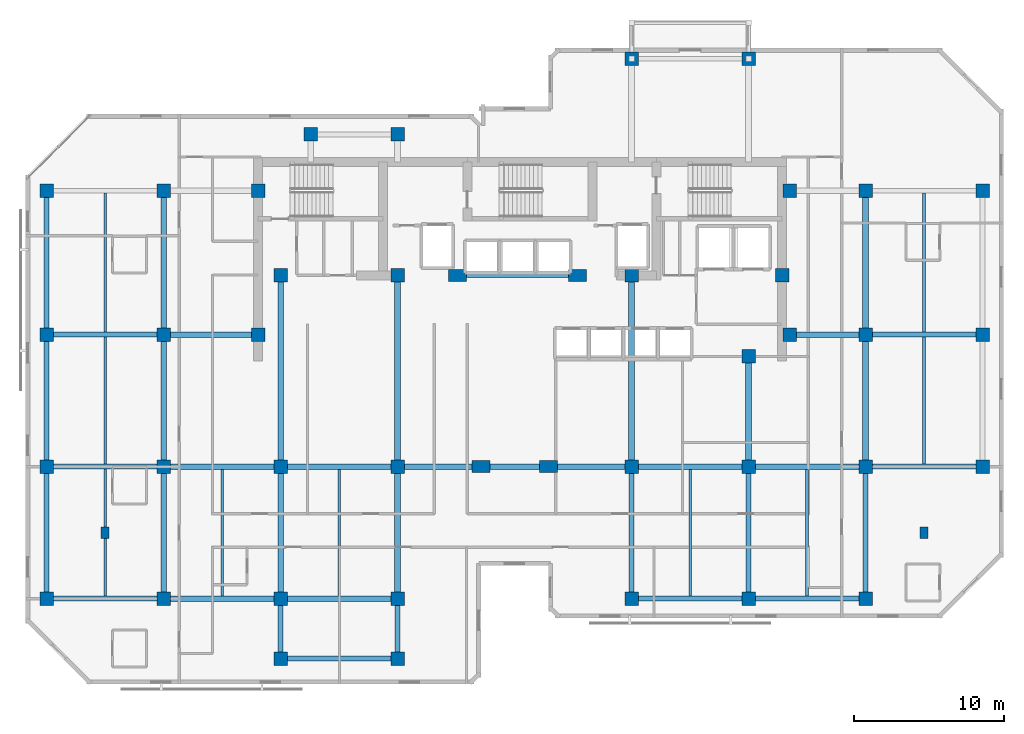
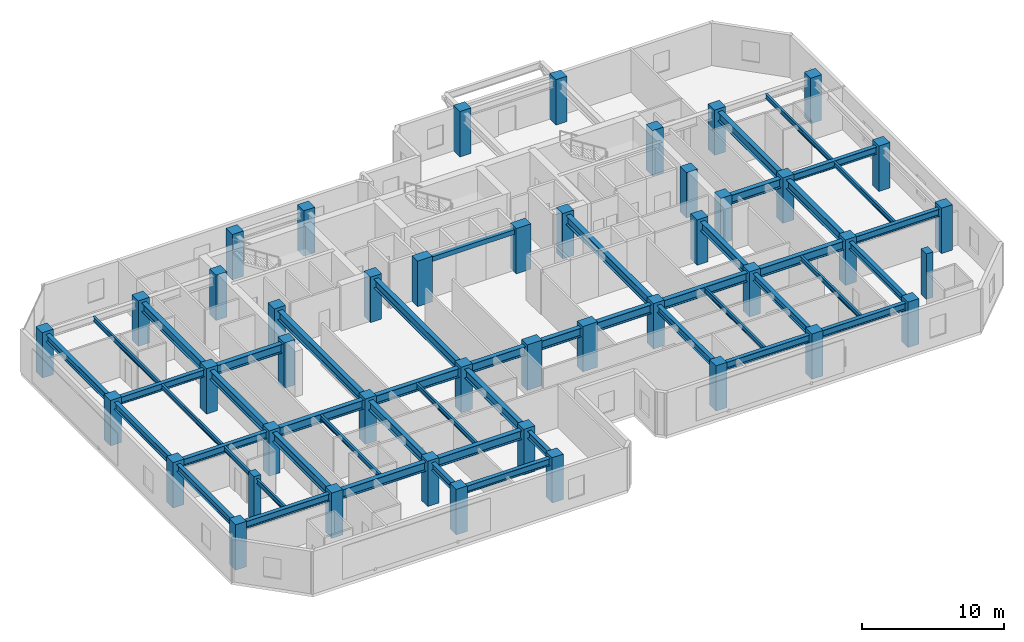
# One storey, part 1 of 10: 48 beams, 44 columns.
"""IFC4 building model written with IfcOpenShell, lengths in metres."""

from ifc_helpers import new_model, si_unit, direction, frame, origin, origin_2d, place, context, subcontext, project, spatial, rectangle, i_section, extrude, material, material_profile, profile_set, type_object, element, save


model = new_model("IFC4")

# Units and contexts
model_context = context("Model", 3, precision=1e-05, world=origin(), true_north=direction((0.0, 1.0)))
body_context = subcontext(model_context, "Body", "Model", "MODEL_VIEW")
ifc_project = project(units=[si_unit("LENGTHUNIT", "METRE"), si_unit("AREAUNIT", "SQUARE_METRE"), si_unit("VOLUMEUNIT", "CUBIC_METRE"), si_unit("PLANEANGLEUNIT", "RADIAN"), si_unit("MASSUNIT", "GRAM", prefix="KILO")], contexts=[model_context])

# Site, building, storey
site_placement = place(None, origin())
site = spatial("IfcSite", under=ifc_project, at=site_placement, CompositionType="ELEMENT")
building_placement = place(site_placement, origin())
building = spatial("IfcBuilding", under=site, at=building_placement, Name="Kestravale Grand Hotel", CompositionType="ELEMENT")
storey_placement = place(building_placement, frame((0.0, 0.0, 220.199951171875)))
storey = spatial("IfcBuildingStorey", under=building, at=storey_placement, Name="L55", CompositionType="ELEMENT", Elevation=220.199951171875)

# Columns
ifc_material_1 = material(Name="Concrete f'c 60 MPa", Category="concrete")
ifc_material_profile_1 = material_profile(ifc_material_1, rectangle(XDim=1.199951171875, YDim=0.800048828125, at=origin_2d()))
ifc_profile_set_1 = profile_set([ifc_material_profile_1], Name="Concrete f'c 60 MPa")
column_type_1 = type_object("IfcColumnType", Name="C-Z3-1200X800", PredefinedType="COLUMN", material=ifc_profile_set_1)
for number, where, z_axis, x_axis, name in (
    (1, (36.75, 20.0, 0.0), (0.0, 0.0, 1.0), (1.0, 0.0, 0.0), "L55 column 6-D"),
    (2, (41.25, 20.0, 0.0), (0.0, 0.0, 1.0), (1.0, 0.0, 0.0), "L55 column 7-D"),
    (3, (35.199951171875, 32.75, 0.0), (0.0, 0.0, 1.0), (1.0, 0.0, 0.0), "L55 column 6C-CS"),
    (4, (43.199951171875, 32.75, 0.0), (0.0, 0.0, 1.0), (1.0, 0.0, 0.0), "L55 column 7C-CS"),
):
    element("IfcColumn", number, at=place(storey_placement, frame(where, z_axis=z_axis, x_axis=x_axis)), inside=storey, type_object=column_type_1, Name=name, PredefinedType="COLUMN", context=body_context, shape_type="SweptSolid", body=[
        extrude(rectangle(XDim=1.199951171875, YDim=0.800048828125, at=origin_2d()), origin(), (0.0, 0.0, 1.0), 3.900146484375),
    ])
ifc_material_2 = material(Name="Precast concrete f'c 45 MPa", Category="concrete")
ifc_material_profile_2 = material_profile(ifc_material_2, rectangle(XDim=0.550048828125, YDim=0.75, at=origin_2d()))
ifc_profile_set_2 = profile_set([ifc_material_profile_2], Name="Precast concrete f'c 45 MPa")
column_type_2 = type_object("IfcColumnType", Name="C-Z3-PIL750", PredefinedType="PILASTER", material=ifc_profile_set_2)
for number, where, z_axis, x_axis, name in (
    (5, (11.699951171875, 15.60009765625, 0.0), (0.0, 0.0, 1.0), (1.0, 0.0, 0.0), "L55 Art Deco fluted pilaster P1"),
    (6, (66.300048828125, 15.60009765625, 0.0), (0.0, 0.0, 1.0), (1.0, 0.0, 0.0), "L55 Art Deco fluted pilaster P2"),
):
    element("IfcColumn", number, at=place(storey_placement, frame(where, z_axis=z_axis, x_axis=x_axis)), inside=storey, type_object=column_type_2, Name=name, PredefinedType="PILASTER", context=body_context, shape_type="SweptSolid", body=[
        extrude(rectangle(XDim=0.550048828125, YDim=0.75, at=origin_2d()), origin(), (0.0, 0.0, 1.0), 3.900146484375),
    ])
ifc_material_3 = material(Name="Concrete f'c 50 MPa", Category="concrete")
ifc_material_profile_3 = material_profile(ifc_material_3, rectangle(XDim=0.89990234375, YDim=0.89990234375, at=origin_2d()))
ifc_profile_set_3 = profile_set([ifc_material_profile_3], Name="Concrete f'c 50 MPa")
column_type_3 = type_object("IfcColumnType", Name="C-Z4-900", PredefinedType="COLUMN", material=ifc_profile_set_3)
for number, where, z_axis, x_axis, name in (
    (7, (7.800048828125, 11.199951171875, 0.0), (0.0, 0.0, 1.0), (1.0, 0.0, 0.0), "L55 column 2-C"),
    (8, (7.800048828125, 20.0, 0.0), (0.0, 0.0, 1.0), (1.0, 0.0, 0.0), "L55 column 2-D"),
    (9, (7.800048828125, 28.800048828125, 0.0), (0.0, 0.0, 1.0), (1.0, 0.0, 0.0), "L55 column 2-E"),
    (10, (7.800048828125, 38.39990234375, 0.0), (0.0, 0.0, 1.0), (1.0, 0.0, 0.0), "L55 column 2-F"),
    (11, (15.60009765625, 11.199951171875, 0.0), (0.0, 0.0, 1.0), (1.0, 0.0, 0.0), "L55 column 3-C"),
    (12, (15.60009765625, 20.0, 0.0), (0.0, 0.0, 1.0), (1.0, 0.0, 0.0), "L55 column 3-D"),
    (13, (15.60009765625, 28.800048828125, 0.0), (0.0, 0.0, 1.0), (1.0, 0.0, 0.0), "L55 column 3-E"),
    (14, (15.60009765625, 38.39990234375, 0.0), (0.0, 0.0, 1.0), (1.0, 0.0, 0.0), "L55 column 3-F"),
    (15, (23.39990234375, 11.199951171875, 0.0), (0.0, 0.0, 1.0), (1.0, 0.0, 0.0), "L55 column 4-C"),
    (16, (23.39990234375, 20.0, 0.0), (0.0, 0.0, 1.0), (1.0, 0.0, 0.0), "L55 column 4-D"),
    (17, (31.199951171875, 11.199951171875, 0.0), (0.0, 0.0, 1.0), (1.0, 0.0, 0.0), "L55 column 5-C"),
    (18, (31.199951171875, 20.0, 0.0), (0.0, 0.0, 1.0), (1.0, 0.0, 0.0), "L55 column 5-D"),
    (19, (46.800048828125, 11.199951171875, 0.0), (0.0, 0.0, 1.0), (1.0, 0.0, 0.0), "L55 column 8-C"),
    (20, (46.800048828125, 20.0, 0.0), (0.0, 0.0, 1.0), (1.0, 0.0, 0.0), "L55 column 8-D"),
    (21, (46.800048828125, 47.199951171875, 0.0), (0.0, 0.0, 1.0), (1.0, 0.0, 0.0), "L55 column 8-G"),
    (22, (54.60009765625, 11.199951171875, 0.0), (0.0, 0.0, 1.0), (1.0, 0.0, 0.0), "L55 column 9-C"),
    (23, (54.60009765625, 20.0, 0.0), (0.0, 0.0, 1.0), (1.0, 0.0, 0.0), "L55 column 9-D"),
    (24, (54.60009765625, 47.199951171875, 0.0), (0.0, 0.0, 1.0), (1.0, 0.0, 0.0), "L55 column 9-G"),
    (25, (62.39990234375, 11.199951171875, 0.0), (0.0, 0.0, 1.0), (1.0, 0.0, 0.0), "L55 column 10-C"),
    (26, (62.39990234375, 20.0, 0.0), (0.0, 0.0, 1.0), (1.0, 0.0, 0.0), "L55 column 10-D"),
    (27, (62.39990234375, 28.800048828125, 0.0), (0.0, 0.0, 1.0), (1.0, 0.0, 0.0), "L55 column 10-E"),
    (28, (62.39990234375, 38.39990234375, 0.0), (0.0, 0.0, 1.0), (1.0, 0.0, 0.0), "L55 column 10-F"),
    (29, (70.199951171875, 20.0, 0.0), (0.0, 0.0, 1.0), (1.0, 0.0, 0.0), "L55 column 11-D"),
    (30, (70.199951171875, 28.800048828125, 0.0), (0.0, 0.0, 1.0), (1.0, 0.0, 0.0), "L55 column 11-E"),
    (31, (70.199951171875, 38.39990234375, 0.0), (0.0, 0.0, 1.0), (1.0, 0.0, 0.0), "L55 column 11-F"),
    (32, (21.89990234375, 28.800048828125, 0.0), (0.0, 0.0, 1.0), (1.0, 0.0, 0.0), "L55 column CW-E"),
    (33, (21.89990234375, 38.39990234375, 0.0), (0.0, 0.0, 1.0), (1.0, 0.0, 0.0), "L55 column CW-F"),
    (34, (57.35009765625, 28.800048828125, 0.0), (0.0, 0.0, 1.0), (1.0, 0.0, 0.0), "L55 column CE-E"),
    (35, (57.35009765625, 38.39990234375, 0.0), (0.0, 0.0, 1.0), (1.0, 0.0, 0.0), "L55 column CE-F"),
    (36, (23.39990234375, 32.75, 0.0), (0.0, 0.0, 1.0), (1.0, 0.0, 0.0), "L55 column 4-CS"),
    (37, (31.199951171875, 32.75, 0.0), (0.0, 0.0, 1.0), (1.0, 0.0, 0.0), "L55 column 5-CS"),
    (38, (46.800048828125, 32.75, 0.0), (0.0, 0.0, 1.0), (1.0, 0.0, 0.0), "L55 column 8-CS"),
    (39, (54.60009765625, 27.35009765625, 0.0), (0.0, 0.0, 1.0), (1.0, 0.0, 0.0), "L55 column 9-CS"),
    (40, (56.85009765625, 32.75, 0.0), (0.0, 0.0, 1.0), (1.0, 0.0, 0.0), "L55 column 9C-CS"),
    (41, (23.39990234375, 7.199951171875, 0.0), (0.0, 0.0, 1.0), (1.0, 0.0, 0.0), "L55 column 4-BS"),
    (42, (31.199951171875, 7.199951171875, 0.0), (0.0, 0.0, 1.0), (1.0, 0.0, 0.0), "L55 column 5-BS"),
    (43, (25.39990234375, 42.14990234375, 0.0), (0.0, 0.0, 1.0), (1.0, 0.0, 0.0), "L55 column 4-FN"),
    (44, (31.199951171875, 42.14990234375, 0.0), (0.0, 0.0, 1.0), (1.0, 0.0, 0.0), "L55 column 5-FN"),
):
    element("IfcColumn", number, at=place(storey_placement, frame(where, z_axis=z_axis, x_axis=x_axis)), inside=storey, type_object=column_type_3, Name=name, PredefinedType="COLUMN", context=body_context, shape_type="SweptSolid", body=[
        extrude(rectangle(XDim=0.89990234375, YDim=0.89990234375, at=origin_2d()), origin(), (0.0, 0.0, 1.0), 3.900146484375),
    ])

# Beams
ifc_material_4 = material(Name="Steel ASTM A992 Grade 50", Category="steel")
ifc_material_profile_4 = material_profile(ifc_material_4, i_section(OverallWidth=0.177978515625, OverallDepth=0.404052734375, WebThickness=0.007568359375, FlangeThickness=0.010986328125, FilletRadius=0.01416015625, at=origin_2d()))
ifc_profile_set_4 = profile_set([ifc_material_profile_4], Name="Steel ASTM A992 Grade 50")
beam_type_1 = type_object("IfcBeamType", Name="B-FLR-JST16", PredefinedType="JOIST", material=ifc_profile_set_4)
for number, where, z_axis, x_axis, name in (
    (45, (11.699951171875, 11.362548828125, 3.447998046875), (0.0, 1.0, 0.0), (-1.0, 0.0, 0.0), "L55 floor joist 2-3/C-D #1"),
    (46, (11.699951171875, 20.16259765625, 3.447998046875), (0.0, 1.0, 0.0), (-1.0, 0.0, 0.0), "L55 floor joist 2-3/D-E #1"),
):
    element("IfcBeam", number, at=place(storey_placement, frame(where, z_axis=z_axis, x_axis=x_axis)), inside=storey, type_object=beam_type_1, Name=name, PredefinedType="JOIST", context=body_context, shape_type="SweptSolid", body=[
        extrude(i_section(OverallWidth=0.177978515625, OverallDepth=0.404052734375, WebThickness=0.007568359375, FlangeThickness=0.010986328125, FilletRadius=0.01416015625, at=origin_2d()), origin(), (0.0, 0.0, 1.0), 8.474853515625),
    ])
beam_1_placement = place(storey_placement, frame((11.699951171875, 28.96240234375, 3.447998046875), z_axis=(0.0, 1.0, 0.0), x_axis=(-1.0, 0.0, 0.0)))
element("IfcBeam", 47, at=beam_1_placement, inside=storey, type_object=beam_type_1, Name="L55 floor joist 2-3/E-F #1", PredefinedType="JOIST", context=body_context, shape_type="SweptSolid", body=[
    extrude(i_section(OverallWidth=0.177978515625, OverallDepth=0.404052734375, WebThickness=0.007568359375, FlangeThickness=0.010986328125, FilletRadius=0.01416015625, at=origin_2d()), origin(), (0.0, 0.0, 1.0), 9.275146484375),
])
for number, where, z_axis, x_axis, name in (
    (48, (19.5, 11.390380859375, 3.447998046875), (0.0, 1.0, 0.0), (-1.0, 0.0, 0.0), "L55 floor joist 3-4/C-D #1"),
    (49, (27.300048828125, 11.390380859375, 3.447998046875), (0.0, 1.0, 0.0), (-1.0, 0.0, 0.0), "L55 floor joist 4-5/C-D #1"),
):
    element("IfcBeam", number, at=place(storey_placement, frame(where, z_axis=z_axis, x_axis=x_axis)), inside=storey, type_object=beam_type_1, Name=name, PredefinedType="JOIST", context=body_context, shape_type="SweptSolid", body=[
        extrude(i_section(OverallWidth=0.177978515625, OverallDepth=0.404052734375, WebThickness=0.007568359375, FlangeThickness=0.010986328125, FilletRadius=0.01416015625, at=origin_2d()), origin(), (0.0, 0.0, 1.0), 8.419189453125),
    ])
for number, where, z_axis, x_axis, name in (
    (50, (50.699951171875, 11.362548828125, 3.447998046875), (0.0, 1.0, 0.0), (-1.0, 0.0, 0.0), "L55 floor joist 8-9/C-D #1"),
    (51, (58.5, 11.362548828125, 3.447998046875), (0.0, 1.0, 0.0), (-1.0, 0.0, 0.0), "L55 floor joist 9-10/C-D #1"),
):
    element("IfcBeam", number, at=place(storey_placement, frame(where, z_axis=z_axis, x_axis=x_axis)), inside=storey, type_object=beam_type_1, Name=name, PredefinedType="JOIST", context=body_context, shape_type="SweptSolid", body=[
        extrude(i_section(OverallWidth=0.177978515625, OverallDepth=0.404052734375, WebThickness=0.007568359375, FlangeThickness=0.010986328125, FilletRadius=0.01416015625, at=origin_2d()), origin(), (0.0, 0.0, 1.0), 8.447021484375),
    ])
beam_2_placement = place(storey_placement, frame((66.300048828125, 20.16259765625, 3.447998046875), z_axis=(0.0, 1.0, 0.0), x_axis=(-1.0, 0.0, 0.0)))
element("IfcBeam", 52, at=beam_2_placement, inside=storey, type_object=beam_type_1, Name="L55 floor joist 10-11/D-E #1", PredefinedType="JOIST", context=body_context, shape_type="SweptSolid", body=[
    extrude(i_section(OverallWidth=0.177978515625, OverallDepth=0.404052734375, WebThickness=0.007568359375, FlangeThickness=0.010986328125, FilletRadius=0.01416015625, at=origin_2d()), origin(), (0.0, 0.0, 1.0), 8.474853515625),
])
beam_3_placement = place(storey_placement, frame((66.300048828125, 28.96240234375, 3.447998046875), z_axis=(0.0, 1.0, 0.0), x_axis=(-1.0, 0.0, 0.0)))
element("IfcBeam", 53, at=beam_3_placement, inside=storey, type_object=beam_type_1, Name="L55 floor joist 10-11/E-F #1", PredefinedType="JOIST", context=body_context, shape_type="SweptSolid", body=[
    extrude(i_section(OverallWidth=0.177978515625, OverallDepth=0.404052734375, WebThickness=0.007568359375, FlangeThickness=0.010986328125, FilletRadius=0.01416015625, at=origin_2d()), origin(), (0.0, 0.0, 1.0), 9.275146484375),
])
ifc_material_5 = material(Name="Concrete f'c 45 MPa", Category="concrete")
ifc_material_profile_5 = material_profile(ifc_material_5, rectangle(XDim=0.300048828125, YDim=0.39990234375, at=origin_2d()))
ifc_profile_set_5 = profile_set([ifc_material_profile_5], Name="Concrete f'c 45 MPa")
beam_type_2 = type_object("IfcBeamType", Name="B-FLR-LNT400", PredefinedType="LINTEL", material=ifc_profile_set_5)
beam_4_placement = place(storey_placement, frame((35.199951171875, 32.75, 3.449951171875), z_axis=(1.0, 0.0, 0.0), x_axis=(0.0, 1.0, 0.0)))
element("IfcBeam", 54, at=beam_4_placement, inside=storey, type_object=beam_type_2, Name="L55 core portal header lintel", PredefinedType="LINTEL", context=body_context, shape_type="SweptSolid", body=[
    extrude(rectangle(XDim=0.300048828125, YDim=0.39990234375, at=origin_2d()), origin(), (0.0, 0.0, 1.0), 8.0),
])
ifc_material_6 = material(Name="Steel ASTM A992 Grade 50", Category="steel")
ifc_material_profile_6 = material_profile(ifc_material_6, i_section(OverallWidth=0.324951171875, OverallDepth=0.612060546875, WebThickness=0.0126953125, FlangeThickness=0.01904296875, FilletRadius=0.018798828125, at=origin_2d()))
ifc_profile_set_6 = profile_set([ifc_material_profile_6], Name="Steel ASTM A992 Grade 50")
beam_type_3 = type_object("IfcBeamType", Name="B-FLR-W24A", PredefinedType="SPANDREL", material=ifc_profile_set_6)
for number, where, z_axis, x_axis, name in (
    (55, (7.800048828125, 11.199951171875, 3.343994140625), (1.0, 0.0, 0.0), (0.0, 1.0, 0.0), "L55 spandrel C:2-3"),
    (56, (46.800048828125, 11.199951171875, 3.343994140625), (1.0, 0.0, 0.0), (0.0, 1.0, 0.0), "L55 spandrel C:8-9"),
):
    element("IfcBeam", number, at=place(storey_placement, frame(where, z_axis=z_axis, x_axis=x_axis)), inside=storey, type_object=beam_type_3, Name=name, PredefinedType="SPANDREL", context=body_context, shape_type="SweptSolid", body=[
        extrude(i_section(OverallWidth=0.324951171875, OverallDepth=0.612060546875, WebThickness=0.0126953125, FlangeThickness=0.01904296875, FilletRadius=0.018798828125, at=origin_2d()), origin(), (0.0, 0.0, 1.0), 7.800048828125),
    ])
beam_5_placement = place(storey_placement, frame((54.60009765625, 11.199951171875, 3.343994140625), z_axis=(1.0, 0.0, 0.0), x_axis=(0.0, 1.0, 0.0)))
element("IfcBeam", 57, at=beam_5_placement, inside=storey, type_object=beam_type_3, Name="L55 spandrel C:9-10", PredefinedType="SPANDREL", context=body_context, shape_type="SweptSolid", body=[
    extrude(i_section(OverallWidth=0.324951171875, OverallDepth=0.612060546875, WebThickness=0.0126953125, FlangeThickness=0.01904296875, FilletRadius=0.018798828125, at=origin_2d()), origin(), (0.0, 0.0, 1.0), 7.7998046875),
])
for number, where, z_axis, x_axis, name in (
    (58, (7.800048828125, 20.0, 3.343994140625), (1.0, 0.0, 0.0), (0.0, 1.0, 0.0), "L55 spandrel D:2-3"),
    (59, (62.39990234375, 20.0, 3.343994140625), (1.0, 0.0, 0.0), (0.0, 1.0, 0.0), "L55 spandrel D:10-11"),
    (60, (7.800048828125, 28.800048828125, 3.343994140625), (1.0, 0.0, 0.0), (0.0, 1.0, 0.0), "L55 spandrel E:2-3"),
    (61, (62.39990234375, 28.800048828125, 3.343994140625), (1.0, 0.0, 0.0), (0.0, 1.0, 0.0), "L55 spandrel E:10-11"),
    (62, (23.39990234375, 7.199951171875, 3.343994140625), (1.0, 0.0, 0.0), (0.0, 1.0, 0.0), "L55 perimeter tie spandrel BS:4-5"),
):
    element("IfcBeam", number, at=place(storey_placement, frame(where, z_axis=z_axis, x_axis=x_axis)), inside=storey, type_object=beam_type_3, Name=name, PredefinedType="SPANDREL", context=body_context, shape_type="SweptSolid", body=[
        extrude(i_section(OverallWidth=0.324951171875, OverallDepth=0.612060546875, WebThickness=0.0126953125, FlangeThickness=0.01904296875, FilletRadius=0.018798828125, at=origin_2d()), origin(), (0.0, 0.0, 1.0), 7.800048828125),
    ])
for number, where, z_axis, x_axis, name in (
    (63, (7.800048828125, 11.199951171875, 3.343994140625), (0.0, 1.0, 0.0), (-1.0, 0.0, 0.0), "L55 spandrel 2:C-D"),
    (64, (7.800048828125, 20.0, 3.343994140625), (0.0, 1.0, 0.0), (-1.0, 0.0, 0.0), "L55 spandrel 2:D-E"),
):
    element("IfcBeam", number, at=place(storey_placement, frame(where, z_axis=z_axis, x_axis=x_axis)), inside=storey, type_object=beam_type_3, Name=name, PredefinedType="SPANDREL", context=body_context, shape_type="SweptSolid", body=[
        extrude(i_section(OverallWidth=0.324951171875, OverallDepth=0.612060546875, WebThickness=0.0126953125, FlangeThickness=0.01904296875, FilletRadius=0.018798828125, at=origin_2d()), origin(), (0.0, 0.0, 1.0), 8.800048828125),
    ])
beam_6_placement = place(storey_placement, frame((7.800048828125, 28.800048828125, 3.343994140625), z_axis=(0.0, 1.0, 0.0), x_axis=(-1.0, 0.0, 0.0)))
element("IfcBeam", 65, at=beam_6_placement, inside=storey, type_object=beam_type_3, Name="L55 spandrel 2:E-F", PredefinedType="SPANDREL", context=body_context, shape_type="SweptSolid", body=[
    extrude(i_section(OverallWidth=0.324951171875, OverallDepth=0.612060546875, WebThickness=0.0126953125, FlangeThickness=0.01904296875, FilletRadius=0.018798828125, at=origin_2d()), origin(), (0.0, 0.0, 1.0), 9.599853515625),
])
for number, where, z_axis, x_axis, name in (
    (66, (23.39990234375, 7.199951171875, 3.343994140625), (0.0, 1.0, 0.0), (-1.0, 0.0, 0.0), "L55 spandrel 4:BS-C"),
    (67, (31.199951171875, 7.199951171875, 3.343994140625), (0.0, 1.0, 0.0), (-1.0, 0.0, 0.0), "L55 spandrel 5:BS-C"),
):
    element("IfcBeam", number, at=place(storey_placement, frame(where, z_axis=z_axis, x_axis=x_axis)), inside=storey, type_object=beam_type_3, Name=name, PredefinedType="SPANDREL", context=body_context, shape_type="SweptSolid", body=[
        extrude(i_section(OverallWidth=0.324951171875, OverallDepth=0.612060546875, WebThickness=0.0126953125, FlangeThickness=0.01904296875, FilletRadius=0.018798828125, at=origin_2d()), origin(), (0.0, 0.0, 1.0), 4.0),
    ])
for number, where, z_axis, x_axis, name in (
    (68, (46.800048828125, 11.199951171875, 3.343994140625), (0.0, 1.0, 0.0), (-1.0, 0.0, 0.0), "L55 spandrel 8:C-D"),
    (69, (54.60009765625, 11.199951171875, 3.343994140625), (0.0, 1.0, 0.0), (-1.0, 0.0, 0.0), "L55 spandrel 9:C-D"),
    (70, (62.39990234375, 11.199951171875, 3.343994140625), (0.0, 1.0, 0.0), (-1.0, 0.0, 0.0), "L55 spandrel 10:C-D"),
):
    element("IfcBeam", number, at=place(storey_placement, frame(where, z_axis=z_axis, x_axis=x_axis)), inside=storey, type_object=beam_type_3, Name=name, PredefinedType="SPANDREL", context=body_context, shape_type="SweptSolid", body=[
        extrude(i_section(OverallWidth=0.324951171875, OverallDepth=0.612060546875, WebThickness=0.0126953125, FlangeThickness=0.01904296875, FilletRadius=0.018798828125, at=origin_2d()), origin(), (0.0, 0.0, 1.0), 8.800048828125),
    ])
ifc_material_7 = material(Name="Steel ASTM A992 Grade 50", Category="steel")
ifc_material_profile_7 = material_profile(ifc_material_7, i_section(OverallWidth=0.381103515625, OverallDepth=0.77197265625, WebThickness=0.0166015625, FlangeThickness=0.027099609375, FilletRadius=0.023681640625, at=origin_2d()))
ifc_profile_set_7 = profile_set([ifc_material_profile_7], Name="Steel ASTM A992 Grade 50")
beam_type_4 = type_object("IfcBeamType", Name="B-GRD-W30", PredefinedType="BEAM", material=ifc_profile_set_7)
beam_7_placement = place(storey_placement, frame((15.60009765625, 11.199951171875, 3.26416015625), z_axis=(1.0, 0.0, 0.0), x_axis=(0.0, 1.0, 0.0)))
element("IfcBeam", 71, at=beam_7_placement, inside=storey, type_object=beam_type_4, Name="L55 girder C:3-4", PredefinedType="BEAM", context=body_context, shape_type="SweptSolid", body=[
    extrude(i_section(OverallWidth=0.381103515625, OverallDepth=0.77197265625, WebThickness=0.0166015625, FlangeThickness=0.027099609375, FilletRadius=0.023681640625, at=origin_2d()), origin(), (0.0, 0.0, 1.0), 7.7998046875),
])
beam_8_placement = place(storey_placement, frame((23.39990234375, 11.199951171875, 3.26416015625), z_axis=(1.0, 0.0, 0.0), x_axis=(0.0, 1.0, 0.0)))
element("IfcBeam", 72, at=beam_8_placement, inside=storey, type_object=beam_type_4, Name="L55 girder C:4-5", PredefinedType="BEAM", context=body_context, shape_type="SweptSolid", body=[
    extrude(i_section(OverallWidth=0.381103515625, OverallDepth=0.77197265625, WebThickness=0.0166015625, FlangeThickness=0.027099609375, FilletRadius=0.023681640625, at=origin_2d()), origin(), (0.0, 0.0, 1.0), 7.800048828125),
])
beam_9_placement = place(storey_placement, frame((15.60009765625, 20.0, 3.26416015625), z_axis=(1.0, 0.0, 0.0), x_axis=(0.0, 1.0, 0.0)))
element("IfcBeam", 73, at=beam_9_placement, inside=storey, type_object=beam_type_4, Name="L55 girder D:3-4", PredefinedType="BEAM", context=body_context, shape_type="SweptSolid", body=[
    extrude(i_section(OverallWidth=0.381103515625, OverallDepth=0.77197265625, WebThickness=0.0166015625, FlangeThickness=0.027099609375, FilletRadius=0.023681640625, at=origin_2d()), origin(), (0.0, 0.0, 1.0), 7.7998046875),
])
beam_10_placement = place(storey_placement, frame((23.39990234375, 20.0, 3.26416015625), z_axis=(1.0, 0.0, 0.0), x_axis=(0.0, 1.0, 0.0)))
element("IfcBeam", 74, at=beam_10_placement, inside=storey, type_object=beam_type_4, Name="L55 girder D:4-5", PredefinedType="BEAM", context=body_context, shape_type="SweptSolid", body=[
    extrude(i_section(OverallWidth=0.381103515625, OverallDepth=0.77197265625, WebThickness=0.0166015625, FlangeThickness=0.027099609375, FilletRadius=0.023681640625, at=origin_2d()), origin(), (0.0, 0.0, 1.0), 7.800048828125),
])
beam_11_placement = place(storey_placement, frame((31.199951171875, 20.0, 3.26416015625), z_axis=(1.0, 0.0, 0.0), x_axis=(0.0, 1.0, 0.0)))
element("IfcBeam", 75, at=beam_11_placement, inside=storey, type_object=beam_type_4, Name="L55 girder D:5-6", PredefinedType="BEAM", context=body_context, shape_type="SweptSolid", body=[
    extrude(i_section(OverallWidth=0.381103515625, OverallDepth=0.77197265625, WebThickness=0.0166015625, FlangeThickness=0.027099609375, FilletRadius=0.023681640625, at=origin_2d()), origin(), (0.0, 0.0, 1.0), 5.550048828125),
])
beam_12_placement = place(storey_placement, frame((36.75, 20.0, 3.26416015625), z_axis=(1.0, 0.0, 0.0), x_axis=(0.0, 1.0, 0.0)))
element("IfcBeam", 76, at=beam_12_placement, inside=storey, type_object=beam_type_4, Name="L55 girder D:6-7", PredefinedType="BEAM", context=body_context, shape_type="SweptSolid", body=[
    extrude(i_section(OverallWidth=0.381103515625, OverallDepth=0.77197265625, WebThickness=0.0166015625, FlangeThickness=0.027099609375, FilletRadius=0.023681640625, at=origin_2d()), origin(), (0.0, 0.0, 1.0), 4.5),
])
beam_13_placement = place(storey_placement, frame((41.25, 20.0, 3.26416015625), z_axis=(1.0, 0.0, 0.0), x_axis=(0.0, 1.0, 0.0)))
element("IfcBeam", 77, at=beam_13_placement, inside=storey, type_object=beam_type_4, Name="L55 girder D:7-8", PredefinedType="BEAM", context=body_context, shape_type="SweptSolid", body=[
    extrude(i_section(OverallWidth=0.381103515625, OverallDepth=0.77197265625, WebThickness=0.0166015625, FlangeThickness=0.027099609375, FilletRadius=0.023681640625, at=origin_2d()), origin(), (0.0, 0.0, 1.0), 5.550048828125),
])
beam_14_placement = place(storey_placement, frame((46.800048828125, 20.0, 3.26416015625), z_axis=(1.0, 0.0, 0.0), x_axis=(0.0, 1.0, 0.0)))
element("IfcBeam", 78, at=beam_14_placement, inside=storey, type_object=beam_type_4, Name="L55 girder D:8-9", PredefinedType="BEAM", context=body_context, shape_type="SweptSolid", body=[
    extrude(i_section(OverallWidth=0.381103515625, OverallDepth=0.77197265625, WebThickness=0.0166015625, FlangeThickness=0.027099609375, FilletRadius=0.023681640625, at=origin_2d()), origin(), (0.0, 0.0, 1.0), 7.800048828125),
])
beam_15_placement = place(storey_placement, frame((54.60009765625, 20.0, 3.26416015625), z_axis=(1.0, 0.0, 0.0), x_axis=(0.0, 1.0, 0.0)))
element("IfcBeam", 79, at=beam_15_placement, inside=storey, type_object=beam_type_4, Name="L55 girder D:9-10", PredefinedType="BEAM", context=body_context, shape_type="SweptSolid", body=[
    extrude(i_section(OverallWidth=0.381103515625, OverallDepth=0.77197265625, WebThickness=0.0166015625, FlangeThickness=0.027099609375, FilletRadius=0.023681640625, at=origin_2d()), origin(), (0.0, 0.0, 1.0), 7.7998046875),
])
beam_16_placement = place(storey_placement, frame((15.60009765625, 28.800048828125, 3.26416015625), z_axis=(1.0, 0.0, 0.0), x_axis=(0.0, 1.0, 0.0)))
element("IfcBeam", 80, at=beam_16_placement, inside=storey, type_object=beam_type_4, Name="L55 girder E:3-CW", PredefinedType="BEAM", context=body_context, shape_type="SweptSolid", body=[
    extrude(i_section(OverallWidth=0.381103515625, OverallDepth=0.77197265625, WebThickness=0.0166015625, FlangeThickness=0.027099609375, FilletRadius=0.023681640625, at=origin_2d()), origin(), (0.0, 0.0, 1.0), 6.2998046875),
])
beam_17_placement = place(storey_placement, frame((57.35009765625, 28.800048828125, 3.26416015625), z_axis=(1.0, 0.0, 0.0), x_axis=(0.0, 1.0, 0.0)))
element("IfcBeam", 81, at=beam_17_placement, inside=storey, type_object=beam_type_4, Name="L55 girder E:CE-10", PredefinedType="BEAM", context=body_context, shape_type="SweptSolid", body=[
    extrude(i_section(OverallWidth=0.381103515625, OverallDepth=0.77197265625, WebThickness=0.0166015625, FlangeThickness=0.027099609375, FilletRadius=0.023681640625, at=origin_2d()), origin(), (0.0, 0.0, 1.0), 5.0498046875),
])
for number, where, z_axis, x_axis, name in (
    (82, (15.60009765625, 11.199951171875, 3.26416015625), (0.0, 1.0, 0.0), (-1.0, 0.0, 0.0), "L55 girder 3:C-D"),
    (83, (15.60009765625, 20.0, 3.26416015625), (0.0, 1.0, 0.0), (-1.0, 0.0, 0.0), "L55 girder 3:D-E"),
):
    element("IfcBeam", number, at=place(storey_placement, frame(where, z_axis=z_axis, x_axis=x_axis)), inside=storey, type_object=beam_type_4, Name=name, PredefinedType="BEAM", context=body_context, shape_type="SweptSolid", body=[
        extrude(i_section(OverallWidth=0.381103515625, OverallDepth=0.77197265625, WebThickness=0.0166015625, FlangeThickness=0.027099609375, FilletRadius=0.023681640625, at=origin_2d()), origin(), (0.0, 0.0, 1.0), 8.800048828125),
    ])
beam_18_placement = place(storey_placement, frame((15.60009765625, 28.800048828125, 3.26416015625), z_axis=(0.0, 1.0, 0.0), x_axis=(-1.0, 0.0, 0.0)))
element("IfcBeam", 84, at=beam_18_placement, inside=storey, type_object=beam_type_4, Name="L55 girder 3:E-F", PredefinedType="BEAM", context=body_context, shape_type="SweptSolid", body=[
    extrude(i_section(OverallWidth=0.381103515625, OverallDepth=0.77197265625, WebThickness=0.0166015625, FlangeThickness=0.027099609375, FilletRadius=0.023681640625, at=origin_2d()), origin(), (0.0, 0.0, 1.0), 9.599853515625),
])
beam_19_placement = place(storey_placement, frame((23.39990234375, 11.199951171875, 3.26416015625), z_axis=(0.0, 1.0, 0.0), x_axis=(-1.0, 0.0, 0.0)))
element("IfcBeam", 85, at=beam_19_placement, inside=storey, type_object=beam_type_4, Name="L55 girder 4:C-D", PredefinedType="BEAM", context=body_context, shape_type="SweptSolid", body=[
    extrude(i_section(OverallWidth=0.381103515625, OverallDepth=0.77197265625, WebThickness=0.0166015625, FlangeThickness=0.027099609375, FilletRadius=0.023681640625, at=origin_2d()), origin(), (0.0, 0.0, 1.0), 8.800048828125),
])
beam_20_placement = place(storey_placement, frame((23.39990234375, 20.0, 3.26416015625), z_axis=(0.0, 1.0, 0.0), x_axis=(-1.0, 0.0, 0.0)))
element("IfcBeam", 86, at=beam_20_placement, inside=storey, type_object=beam_type_4, Name="L55 girder 4:D-CS", PredefinedType="BEAM", context=body_context, shape_type="SweptSolid", body=[
    extrude(i_section(OverallWidth=0.381103515625, OverallDepth=0.77197265625, WebThickness=0.0166015625, FlangeThickness=0.027099609375, FilletRadius=0.023681640625, at=origin_2d()), origin(), (0.0, 0.0, 1.0), 12.75),
])
beam_21_placement = place(storey_placement, frame((31.199951171875, 11.199951171875, 3.26416015625), z_axis=(0.0, 1.0, 0.0), x_axis=(-1.0, 0.0, 0.0)))
element("IfcBeam", 87, at=beam_21_placement, inside=storey, type_object=beam_type_4, Name="L55 girder 5:C-D", PredefinedType="BEAM", context=body_context, shape_type="SweptSolid", body=[
    extrude(i_section(OverallWidth=0.381103515625, OverallDepth=0.77197265625, WebThickness=0.0166015625, FlangeThickness=0.027099609375, FilletRadius=0.023681640625, at=origin_2d()), origin(), (0.0, 0.0, 1.0), 8.800048828125),
])
for number, where, z_axis, x_axis, name in (
    (88, (31.199951171875, 20.0, 3.26416015625), (0.0, 1.0, 0.0), (-1.0, 0.0, 0.0), "L55 girder 5:D-CS"),
    (89, (46.800048828125, 20.0, 3.26416015625), (0.0, 1.0, 0.0), (-1.0, 0.0, 0.0), "L55 girder 8:D-CS"),
):
    element("IfcBeam", number, at=place(storey_placement, frame(where, z_axis=z_axis, x_axis=x_axis)), inside=storey, type_object=beam_type_4, Name=name, PredefinedType="BEAM", context=body_context, shape_type="SweptSolid", body=[
        extrude(i_section(OverallWidth=0.381103515625, OverallDepth=0.77197265625, WebThickness=0.0166015625, FlangeThickness=0.027099609375, FilletRadius=0.023681640625, at=origin_2d()), origin(), (0.0, 0.0, 1.0), 12.75),
    ])
beam_22_placement = place(storey_placement, frame((54.60009765625, 20.0, 3.26416015625), z_axis=(0.0, 1.0, 0.0), x_axis=(-1.0, 0.0, 0.0)))
element("IfcBeam", 90, at=beam_22_placement, inside=storey, type_object=beam_type_4, Name="L55 girder 9:D-CS", PredefinedType="BEAM", context=body_context, shape_type="SweptSolid", body=[
    extrude(i_section(OverallWidth=0.381103515625, OverallDepth=0.77197265625, WebThickness=0.0166015625, FlangeThickness=0.027099609375, FilletRadius=0.023681640625, at=origin_2d()), origin(), (0.0, 0.0, 1.0), 7.35009765625),
])
beam_23_placement = place(storey_placement, frame((62.39990234375, 20.0, 3.26416015625), z_axis=(0.0, 1.0, 0.0), x_axis=(-1.0, 0.0, 0.0)))
element("IfcBeam", 91, at=beam_23_placement, inside=storey, type_object=beam_type_4, Name="L55 girder 10:D-E", PredefinedType="BEAM", context=body_context, shape_type="SweptSolid", body=[
    extrude(i_section(OverallWidth=0.381103515625, OverallDepth=0.77197265625, WebThickness=0.0166015625, FlangeThickness=0.027099609375, FilletRadius=0.023681640625, at=origin_2d()), origin(), (0.0, 0.0, 1.0), 8.800048828125),
])
beam_24_placement = place(storey_placement, frame((62.39990234375, 28.800048828125, 3.26416015625), z_axis=(0.0, 1.0, 0.0), x_axis=(-1.0, 0.0, 0.0)))
element("IfcBeam", 92, at=beam_24_placement, inside=storey, type_object=beam_type_4, Name="L55 girder 10:E-F", PredefinedType="BEAM", context=body_context, shape_type="SweptSolid", body=[
    extrude(i_section(OverallWidth=0.381103515625, OverallDepth=0.77197265625, WebThickness=0.0166015625, FlangeThickness=0.027099609375, FilletRadius=0.023681640625, at=origin_2d()), origin(), (0.0, 0.0, 1.0), 9.599853515625),
])

save(model, "model.ifc")
